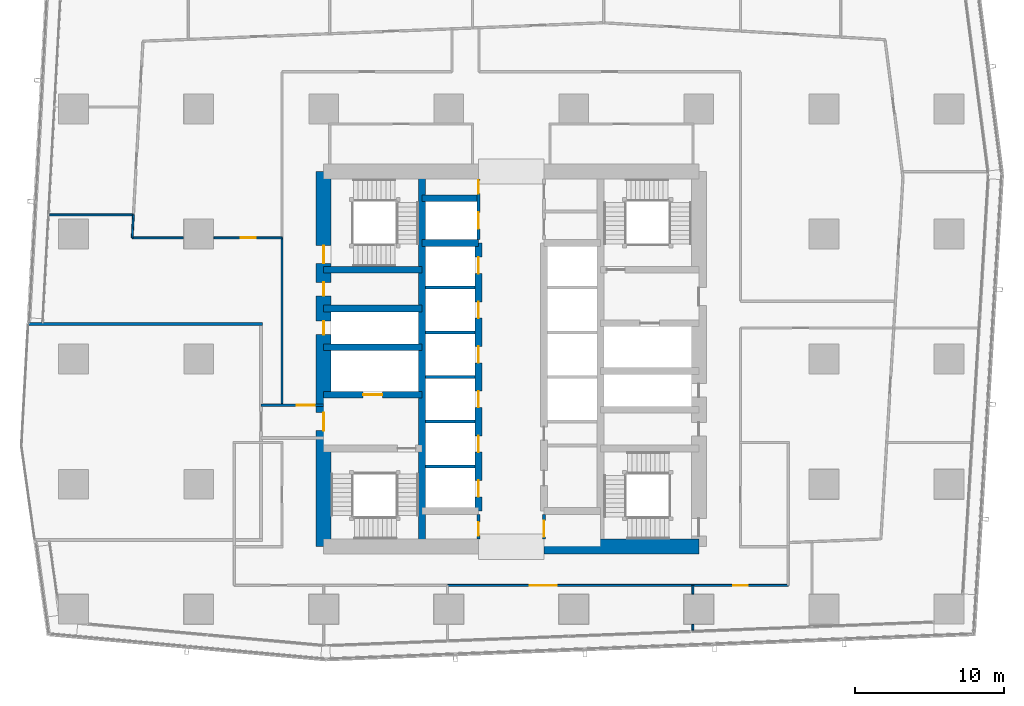
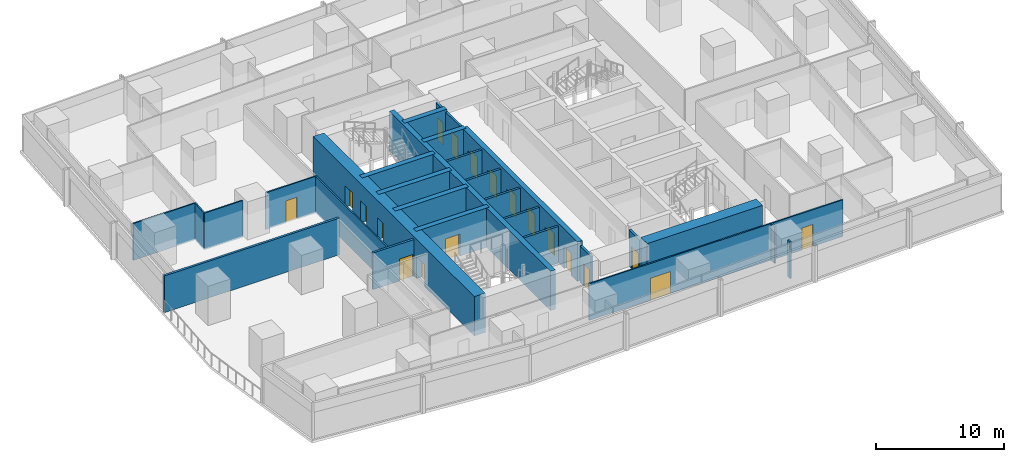
# One storey, part 26 of 36: 29 walls, 19 doors, 19 openings.
"""IFC4 building model written with IfcOpenShell, lengths in metres."""

from ifc_helpers import new_model, si_unit, direction, frame, frame_2d, origin, place, context, subcontext, project, spatial, rectangle, extrude, material, layer, layer_set, type_object, element, fill, save


model = new_model("IFC4")

# Units and contexts
model_context = context("Model", 3, precision=1e-05, world=origin(), true_north=direction((0.0, 1.0)))
body_context = subcontext(model_context, "Body", "Model", "MODEL_VIEW")
ifc_project = project(units=[si_unit("LENGTHUNIT", "METRE"), si_unit("AREAUNIT", "SQUARE_METRE"), si_unit("VOLUMEUNIT", "CUBIC_METRE"), si_unit("PLANEANGLEUNIT", "RADIAN"), si_unit("MASSUNIT", "GRAM", prefix="KILO")], contexts=[model_context])

# Site, building, storey
site_placement = place(None, origin())
site = spatial("IfcSite", under=ifc_project, at=site_placement, CompositionType="ELEMENT")
building_placement = place(site_placement, origin())
building = spatial("IfcBuilding", under=site, at=building_placement, Name="Rekha Terrace Tower", CompositionType="ELEMENT")
storey_placement = place(building_placement, frame((0.0, 0.0, 144.050048828125)))
storey = spatial("IfcBuildingStorey", under=building, at=storey_placement, Name="L36", CompositionType="ELEMENT", Elevation=144.050048828125)

# Wall
ifc_material_1 = material(Name="Concrete M70", Category="concrete")
ifc_layer_1 = layer(ifc_material_1, 0.449951171875)
ifc_layer_set_1 = layer_set([ifc_layer_1], Name="Concrete M70")
wall_type_1 = type_object("IfcWallType", Name="CI2 450 core internal shear wall", PredefinedType="SHEAR", material=ifc_layer_set_1)
wall_1_placement = place(storey_placement, frame((31.800048828125, 21.0, 0.0), z_axis=(0.0, 0.0, 1.0), x_axis=(0.0, 1.0, 0.0)))
element("IfcWall", 1, at=wall_1_placement, inside=storey, type_object=wall_type_1, Name="Core wall X318 L36", PredefinedType="SHEAR", context=body_context, shape_type="SweptSolid", body=[
    extrude(rectangle(XDim=25.199951171875, YDim=0.449951171875, at=frame_2d((12.60009765625, 0.0))), origin(), (0.0, 0.0, 1.0), 3.75),
])

# Wall, openings, doors
wall_2_placement = place(storey_placement, frame((35.60009765625, 23.39990234375, 0.0), z_axis=(0.0, 0.0, 1.0), x_axis=(0.0, 1.0, 0.0)))
wall_2 = element("IfcWall", 2, at=wall_2_placement, inside=storey, type_object=wall_type_1, Name="Core wall X356 L36", PredefinedType="SHEAR", context=body_context, shape_type="SweptSolid", body=[
    extrude(rectangle(XDim=18.0, YDim=0.449951171875, at=frame_2d((9.0, 0.0))), origin(), (0.0, 0.0, 1.0), 3.75),
])
opening_1_placement = place(wall_2_placement, frame((0.949951171875, 0.0, 0.0)))
opening_1 = element("IfcOpeningElement", 3, at=opening_1_placement, cuts=wall_2, Name="Opening LD1", PredefinedType="OPENING", context=body_context, shape_type="SweptSolid", body=[
    extrude(rectangle(XDim=1.10009765625, YDim=2.10009765625, at=frame_2d((0.550048828125, 1.050048828125))), frame((0.0, 0.23486328125, 0.0), z_axis=(0.0, -1.0, 0.0), x_axis=(1.0, 0.0, 0.0)), (0.0, 0.0, 1.0), 0.469970703125),
])
opening_2_placement = place(wall_2_placement, frame((3.949951171875, 0.0, 0.0)))
opening_2 = element("IfcOpeningElement", 4, at=opening_2_placement, cuts=wall_2, Name="Opening LD1", PredefinedType="OPENING", context=body_context, shape_type="SweptSolid", body=[
    extrude(rectangle(XDim=1.10009765625, YDim=2.10009765625, at=frame_2d((0.550048828125, 1.050048828125))), frame((0.0, 0.23486328125, 0.0), z_axis=(0.0, -1.0, 0.0), x_axis=(1.0, 0.0, 0.0)), (0.0, 0.0, 1.0), 0.469970703125),
])
opening_3_placement = place(wall_2_placement, frame((6.949951171875, 0.0, 0.0)))
opening_3 = element("IfcOpeningElement", 5, at=opening_3_placement, cuts=wall_2, Name="Opening LD1", PredefinedType="OPENING", context=body_context, shape_type="SweptSolid", body=[
    extrude(rectangle(XDim=1.10009765625, YDim=2.10009765625, at=frame_2d((0.550048828125, 1.050048828125))), frame((0.0, 0.23486328125, 0.0), z_axis=(0.0, -1.0, 0.0), x_axis=(1.0, 0.0, 0.0)), (0.0, 0.0, 1.0), 0.469970703125),
])
opening_4_placement = place(wall_2_placement, frame((9.949951171875, 0.0, 0.0)))
opening_4 = element("IfcOpeningElement", 6, at=opening_4_placement, cuts=wall_2, Name="Opening LD1", PredefinedType="OPENING", context=body_context, shape_type="SweptSolid", body=[
    extrude(rectangle(XDim=1.10009765625, YDim=2.10009765625, at=frame_2d((0.550048828125, 1.050048828125))), frame((0.0, 0.23486328125, 0.0), z_axis=(0.0, -1.0, 0.0), x_axis=(1.0, 0.0, 0.0)), (0.0, 0.0, 1.0), 0.469970703125),
])
opening_5_placement = place(wall_2_placement, frame((12.949951171875, 0.0, 0.0)))
opening_5 = element("IfcOpeningElement", 7, at=opening_5_placement, cuts=wall_2, Name="Opening LD1", PredefinedType="OPENING", context=body_context, shape_type="SweptSolid", body=[
    extrude(rectangle(XDim=1.10009765625, YDim=2.10009765625, at=frame_2d((0.550048828125, 1.050048828125))), frame((0.0, 0.23486328125, 0.0), z_axis=(0.0, -1.0, 0.0), x_axis=(1.0, 0.0, 0.0)), (0.0, 0.0, 1.0), 0.469970703125),
])
opening_6_placement = place(wall_2_placement, frame((15.949951171875, 0.0, 0.0)))
opening_6 = element("IfcOpeningElement", 8, at=opening_6_placement, cuts=wall_2, Name="Opening LD1", PredefinedType="OPENING", context=body_context, shape_type="SweptSolid", body=[
    extrude(rectangle(XDim=1.10009765625, YDim=2.10009765625, at=frame_2d((0.550048828125, 1.050048828125))), frame((0.0, 0.23486328125, 0.0), z_axis=(0.0, -1.0, 0.0), x_axis=(1.0, 0.0, 0.0)), (0.0, 0.0, 1.0), 0.469970703125),
])
ifc_material_2 = material(Name="Stainless steel sliding landing door", Category="steel")
door_type_1 = type_object("IfcDoorType", Name="LD1 1100x2100 lift landing door", OperationType="SLIDING_TO_LEFT", PredefinedType="USERDEFINED", material=ifc_material_2)
door_1_placement = place(opening_1_placement, origin())
door_1 = element("IfcDoor", 9, at=door_1_placement, inside=storey, type_object=door_type_1, Name="Lift B1 landing door L36", ObjectType="LIFT LANDING DOOR", OperationType="SLIDING_TO_LEFT", OverallHeight=2.10009765625, OverallWidth=1.10009765625, PredefinedType="USERDEFINED", context=body_context, shape_type="SweptSolid", body=[
    extrude(rectangle(XDim=1.10009765625, YDim=2.10009765625, at=frame_2d((0.550048828125, 1.050048828125))), frame((0.0, 0.02490234375, 0.0), z_axis=(0.0, -1.0, 0.0), x_axis=(1.0, 0.0, 0.0)), (0.0, 0.0, 1.0), 0.050048828125),
])
fill(opening_1, door_1)
door_2_placement = place(opening_2_placement, origin())
door_2 = element("IfcDoor", 10, at=door_2_placement, inside=storey, type_object=door_type_1, Name="Lift B2 landing door L36", ObjectType="LIFT LANDING DOOR", OperationType="SLIDING_TO_LEFT", OverallHeight=2.10009765625, OverallWidth=1.10009765625, PredefinedType="USERDEFINED", context=body_context, shape_type="SweptSolid", body=[
    extrude(rectangle(XDim=1.10009765625, YDim=2.10009765625, at=frame_2d((0.550048828125, 1.050048828125))), frame((0.0, 0.02490234375, 0.0), z_axis=(0.0, -1.0, 0.0), x_axis=(1.0, 0.0, 0.0)), (0.0, 0.0, 1.0), 0.050048828125),
])
fill(opening_2, door_2)
door_3_placement = place(opening_3_placement, origin())
door_3 = element("IfcDoor", 11, at=door_3_placement, inside=storey, type_object=door_type_1, Name="Lift B3 landing door L36", ObjectType="LIFT LANDING DOOR", OperationType="SLIDING_TO_LEFT", OverallHeight=2.10009765625, OverallWidth=1.10009765625, PredefinedType="USERDEFINED", context=body_context, shape_type="SweptSolid", body=[
    extrude(rectangle(XDim=1.10009765625, YDim=2.10009765625, at=frame_2d((0.550048828125, 1.050048828125))), frame((0.0, 0.02490234375, 0.0), z_axis=(0.0, -1.0, 0.0), x_axis=(1.0, 0.0, 0.0)), (0.0, 0.0, 1.0), 0.050048828125),
])
fill(opening_3, door_3)
door_4_placement = place(opening_4_placement, origin())
door_4 = element("IfcDoor", 12, at=door_4_placement, inside=storey, type_object=door_type_1, Name="Lift B4 landing door L36", ObjectType="LIFT LANDING DOOR", OperationType="SLIDING_TO_LEFT", OverallHeight=2.10009765625, OverallWidth=1.10009765625, PredefinedType="USERDEFINED", context=body_context, shape_type="SweptSolid", body=[
    extrude(rectangle(XDim=1.10009765625, YDim=2.10009765625, at=frame_2d((0.550048828125, 1.050048828125))), frame((0.0, 0.02490234375, 0.0), z_axis=(0.0, -1.0, 0.0), x_axis=(1.0, 0.0, 0.0)), (0.0, 0.0, 1.0), 0.050048828125),
])
fill(opening_4, door_4)
door_5_placement = place(opening_5_placement, origin())
door_5 = element("IfcDoor", 13, at=door_5_placement, inside=storey, type_object=door_type_1, Name="Lift B5 landing door L36", ObjectType="LIFT LANDING DOOR", OperationType="SLIDING_TO_LEFT", OverallHeight=2.10009765625, OverallWidth=1.10009765625, PredefinedType="USERDEFINED", context=body_context, shape_type="SweptSolid", body=[
    extrude(rectangle(XDim=1.10009765625, YDim=2.10009765625, at=frame_2d((0.550048828125, 1.050048828125))), frame((0.0, 0.02490234375, 0.0), z_axis=(0.0, -1.0, 0.0), x_axis=(1.0, 0.0, 0.0)), (0.0, 0.0, 1.0), 0.050048828125),
])
fill(opening_5, door_5)
door_6_placement = place(opening_6_placement, origin())
door_6 = element("IfcDoor", 14, at=door_6_placement, inside=storey, type_object=door_type_1, Name="Lift B6 landing door L36", ObjectType="LIFT LANDING DOOR", OperationType="SLIDING_TO_LEFT", OverallHeight=2.10009765625, OverallWidth=1.10009765625, PredefinedType="USERDEFINED", context=body_context, shape_type="SweptSolid", body=[
    extrude(rectangle(XDim=1.10009765625, YDim=2.10009765625, at=frame_2d((0.550048828125, 1.050048828125))), frame((0.0, 0.02490234375, 0.0), z_axis=(0.0, -1.0, 0.0), x_axis=(1.0, 0.0, 0.0)), (0.0, 0.0, 1.0), 0.050048828125),
])
fill(opening_6, door_6)

# Walls
for number, where, z_axis, x_axis, name in (
    (15, (31.800048828125, 41.39990234375, 0.0), (0.0, 0.0, 1.0), (1.0, 0.0, 0.0), "Core wall Y414W L36"),
    (16, (31.800048828125, 44.39990234375, 0.0), (0.0, 0.0, 1.0), (1.0, 0.0, 0.0), "Core wall Y444W L36"),
):
    element("IfcWall", number, at=place(storey_placement, frame(where, z_axis=z_axis, x_axis=x_axis)), inside=storey, type_object=wall_type_1, Name=name, PredefinedType="SHEAR", context=body_context, shape_type="SweptSolid", body=[
        extrude(rectangle(XDim=3.800048828125, YDim=0.449951171875, at=frame_2d((1.89990234375, 0.0))), origin(), (0.0, 0.0, 1.0), 3.75),
    ])

# Wall, opening, door
wall_3_placement = place(storey_placement, frame((25.199951171875, 31.199951171875, 0.0), z_axis=(0.0, 0.0, 1.0), x_axis=(1.0, 0.0, 0.0)))
wall_3 = element("IfcWall", 17, at=wall_3_placement, inside=storey, type_object=wall_type_1, Name="Core wall Y312W L36", PredefinedType="SHEAR", context=body_context, shape_type="SweptSolid", body=[
    extrude(rectangle(XDim=6.60009765625, YDim=0.449951171875, at=frame_2d((3.300048828125, 0.0))), origin(), (0.0, 0.0, 1.0), 3.75),
])
opening_7_placement = place(wall_3_placement, frame((2.64990234375, 0.0, 0.0)))
opening_7 = element("IfcOpeningElement", 18, at=opening_7_placement, cuts=wall_3, Name="Opening LD2", PredefinedType="OPENING", context=body_context, shape_type="SweptSolid", body=[
    extrude(rectangle(XDim=1.300048828125, YDim=2.10009765625, at=frame_2d((0.64990234375, 1.050048828125))), frame((0.0, 0.23486328125, 0.0), z_axis=(0.0, -1.0, 0.0), x_axis=(1.0, 0.0, 0.0)), (0.0, 0.0, 1.0), 0.469970703125),
])
door_type_2 = type_object("IfcDoorType", Name="LD2 1300x2100 fire lift landing door", OperationType="SLIDING_TO_LEFT", PredefinedType="USERDEFINED", material=ifc_material_2)
door_7_placement = place(opening_7_placement, origin())
door_7 = element("IfcDoor", 19, at=door_7_placement, inside=storey, type_object=door_type_2, Name="Lift FL1 landing door L36", ObjectType="LIFT LANDING DOOR", OperationType="SLIDING_TO_LEFT", OverallHeight=2.10009765625, OverallWidth=1.300048828125, PredefinedType="USERDEFINED", context=body_context, shape_type="SweptSolid", body=[
    extrude(rectangle(XDim=1.300048828125, YDim=2.10009765625, at=frame_2d((0.64990234375, 1.050048828125))), frame((0.0, 0.02490234375, 0.0), z_axis=(0.0, -1.0, 0.0), x_axis=(1.0, 0.0, 0.0)), (0.0, 0.0, 1.0), 0.050048828125),
])
fill(opening_7, door_7)

# Walls
for number, where, z_axis, x_axis, name in (
    (20, (25.199951171875, 34.39990234375, 0.0), (0.0, 0.0, 1.0), (1.0, 0.0, 0.0), "Core wall Y344W L36"),
    (21, (25.199951171875, 37.0, 0.0), (0.0, 0.0, 1.0), (1.0, 0.0, 0.0), "Core wall Y370W L36"),
    (22, (25.199951171875, 39.60009765625, 0.0), (0.0, 0.0, 1.0), (1.0, 0.0, 0.0), "Core wall Y396W L36"),
):
    element("IfcWall", number, at=place(storey_placement, frame(where, z_axis=z_axis, x_axis=x_axis)), inside=storey, type_object=wall_type_1, Name=name, PredefinedType="SHEAR", context=body_context, shape_type="SweptSolid", body=[
        extrude(rectangle(XDim=6.60009765625, YDim=0.449951171875, at=frame_2d((3.300048828125, 0.0))), origin(), (0.0, 0.0, 1.0), 3.75),
    ])
ifc_layer_2 = layer(ifc_material_1, 1.0)
ifc_layer_set_2 = layer_set([ifc_layer_2], Name="Concrete M70")
wall_type_2 = type_object("IfcWallType", Name="SW2 1000 core outer shear wall", PredefinedType="SHEAR", material=ifc_layer_set_2)
wall_4_placement = place(storey_placement, frame((40.0, 21.0, 0.0), z_axis=(0.0, 0.0, 1.0), x_axis=(1.0, 0.0, 0.0)))
element("IfcWall", 23, at=wall_4_placement, inside=storey, type_object=wall_type_2, Name="Core wall S2 L36", PredefinedType="SHEAR", context=body_context, shape_type="SweptSolid", body=[
    extrude(rectangle(XDim=10.39990234375, YDim=1.0, at=frame_2d((5.199951171875, 0.0))), origin(), (0.0, 0.0, 1.0), 3.75),
])

# Wall, openings, doors
wall_5_placement = place(storey_placement, frame((25.199951171875, 21.0, 0.0), z_axis=(0.0, 0.0, 1.0), x_axis=(0.0, 1.0, 0.0)))
wall_5 = element("IfcWall", 24, at=wall_5_placement, inside=storey, type_object=wall_type_2, Name="Core wall W L36", PredefinedType="SHEAR", context=body_context, shape_type="SweptSolid", body=[
    extrude(rectangle(XDim=25.199951171875, YDim=1.0, at=frame_2d((12.60009765625, 0.0))), origin(), (0.0, 0.0, 1.0), 3.75),
])
opening_8_placement = place(wall_5_placement, frame((7.800048828125, 0.0, 0.0)))
opening_8 = element("IfcOpeningElement", 25, at=opening_8_placement, cuts=wall_5, Name="Opening D2", PredefinedType="OPENING", context=body_context, shape_type="SweptSolid", body=[
    extrude(rectangle(XDim=1.199951171875, YDim=2.10009765625, at=frame_2d((0.60009765625, 1.050048828125))), frame((0.0, 0.510009765625, 0.0), z_axis=(0.0, -1.0, 0.0), x_axis=(1.0, 0.0, 0.0)), (0.0, 0.0, 1.0), 1.02001953125),
])
opening_9_placement = place(wall_5_placement, frame((14.25, 0.0, 0.0)))
opening_9 = element("IfcOpeningElement", 26, at=opening_9_placement, cuts=wall_5, Name="Opening D5", PredefinedType="OPENING", context=body_context, shape_type="SweptSolid", body=[
    extrude(rectangle(XDim=0.89990234375, YDim=2.10009765625, at=frame_2d((0.449951171875, 1.050048828125))), frame((0.0, 0.510009765625, 0.0), z_axis=(0.0, -1.0, 0.0), x_axis=(1.0, 0.0, 0.0)), (0.0, 0.0, 1.0), 1.02001953125),
])
opening_10_placement = place(wall_5_placement, frame((16.85009765625, 0.0, 0.0)))
opening_10 = element("IfcOpeningElement", 27, at=opening_10_placement, cuts=wall_5, Name="Opening D5", PredefinedType="OPENING", context=body_context, shape_type="SweptSolid", body=[
    extrude(rectangle(XDim=0.89990234375, YDim=2.10009765625, at=frame_2d((0.449951171875, 1.050048828125))), frame((0.0, 0.510009765625, 0.0), z_axis=(0.0, -1.0, 0.0), x_axis=(1.0, 0.0, 0.0)), (0.0, 0.0, 1.0), 1.02001953125),
])
opening_11_placement = place(wall_5_placement, frame((19.02490234375, 0.0, 0.0)))
opening_11 = element("IfcOpeningElement", 28, at=opening_11_placement, cuts=wall_5, Name="Opening D1", PredefinedType="OPENING", context=body_context, shape_type="SweptSolid", body=[
    extrude(rectangle(XDim=1.199951171875, YDim=2.10009765625, at=frame_2d((0.60009765625, 1.050048828125))), frame((0.0, 0.510009765625, 0.0), z_axis=(0.0, -1.0, 0.0), x_axis=(1.0, 0.0, 0.0)), (0.0, 0.0, 1.0), 1.02001953125),
])
ifc_material_3 = material(Name="Steel fire door", Category="steel")
door_type_3 = type_object("IfcDoorType", Name="D1 1200x2100 stair fire door", OperationType="SINGLE_SWING_RIGHT", PredefinedType="DOOR", material=ifc_material_3)
door_8_placement = place(opening_11_placement, origin())
door_8 = element("IfcDoor", 29, at=door_8_placement, inside=storey, type_object=door_type_3, Name="Stair ST4 door L36", OperationType="SINGLE_SWING_RIGHT", OverallHeight=2.10009765625, OverallWidth=1.199951171875, PredefinedType="DOOR", context=body_context, shape_type="SweptSolid", body=[
    extrude(rectangle(XDim=1.199951171875, YDim=2.10009765625, at=frame_2d((0.60009765625, 1.050048828125))), frame((0.0, 0.02490234375, 0.0), z_axis=(0.0, -1.0, 0.0), x_axis=(1.0, 0.0, 0.0)), (0.0, 0.0, 1.0), 0.050048828125),
])
fill(opening_11, door_8)
door_type_4 = type_object("IfcDoorType", Name="D2 1200x2100 firefighting lobby door", OperationType="SINGLE_SWING_LEFT", PredefinedType="DOOR", material=ifc_material_3)
door_9_placement = place(opening_8_placement, origin())
door_9 = element("IfcDoor", 30, at=door_9_placement, inside=storey, type_object=door_type_4, Name="Door flb1 L36", OperationType="SINGLE_SWING_LEFT", OverallHeight=2.10009765625, OverallWidth=1.199951171875, PredefinedType="DOOR", context=body_context, shape_type="SweptSolid", body=[
    extrude(rectangle(XDim=1.199951171875, YDim=2.10009765625, at=frame_2d((0.60009765625, 1.050048828125))), frame((0.0, 0.02490234375, 0.0), z_axis=(0.0, -1.0, 0.0), x_axis=(1.0, 0.0, 0.0)), (0.0, 0.0, 1.0), 0.050048828125),
])
fill(opening_8, door_9)
door_type_5 = type_object("IfcDoorType", Name="D5 900x2100 riser access door", OperationType="SINGLE_SWING_LEFT", PredefinedType="DOOR", material=ifc_material_3)
door_10_placement = place(opening_9_placement, origin())
door_10 = element("IfcDoor", 31, at=door_10_placement, inside=storey, type_object=door_type_5, Name="Door rs1 L36", OperationType="SINGLE_SWING_LEFT", OverallHeight=2.10009765625, OverallWidth=0.89990234375, PredefinedType="DOOR", context=body_context, shape_type="SweptSolid", body=[
    extrude(rectangle(XDim=0.89990234375, YDim=2.10009765625, at=frame_2d((0.449951171875, 1.050048828125))), frame((0.0, 0.02490234375, 0.0), z_axis=(0.0, -1.0, 0.0), x_axis=(1.0, 0.0, 0.0)), (0.0, 0.0, 1.0), 0.050048828125),
])
fill(opening_9, door_10)
door_11_placement = place(opening_10_placement, origin())
door_11 = element("IfcDoor", 32, at=door_11_placement, inside=storey, type_object=door_type_5, Name="Door elw L36", OperationType="SINGLE_SWING_LEFT", OverallHeight=2.10009765625, OverallWidth=0.89990234375, PredefinedType="DOOR", context=body_context, shape_type="SweptSolid", body=[
    extrude(rectangle(XDim=0.89990234375, YDim=2.10009765625, at=frame_2d((0.449951171875, 1.050048828125))), frame((0.0, 0.02490234375, 0.0), z_axis=(0.0, -1.0, 0.0), x_axis=(1.0, 0.0, 0.0)), (0.0, 0.0, 1.0), 0.050048828125),
])
fill(opening_10, door_11)

# Walls
ifc_material_4 = material(Name="Two layers of fire-rated gypsum board each side on steel studs, acoustic quilt, 1 hour", Category="steel")
ifc_layer_3 = layer(ifc_material_4, 0.125)
ifc_layer_set_3 = layer_set([ifc_layer_3], Name="Two layers of fire-rated gypsum board each side on steel studs, acoustic quilt, 1 hour")
wall_type_3 = type_object("IfcWallType", Name="WP3 125 office partition", PredefinedType="PARTITIONING", material=ifc_layer_set_3)
wall_6_placement = place(storey_placement, frame((49.9990234375, 15.40087890625, 0.0), z_axis=(0.0, 0.0, 1.0), x_axis=(0.0, 1.0, 0.0)))
element("IfcWall", 33, at=wall_6_placement, inside=storey, type_object=wall_type_3, Name="Partition L36-02", PredefinedType="PARTITIONING", context=body_context, shape_type="SweptSolid", body=[
    extrude(rectangle(XDim=0.379150390625, YDim=0.125, at=frame_2d((0.189453125, 0.0))), origin(), (0.0, 0.0, 1.0), 3.5),
])
wall_7_placement = place(storey_placement, frame((49.9990234375, 17.820068359375, 0.0), z_axis=(0.0, 0.0, 1.0), x_axis=(0.0, 1.0, 0.0)))
element("IfcWall", 34, at=wall_7_placement, inside=storey, type_object=wall_type_3, Name="Partition L36-02", PredefinedType="PARTITIONING", context=body_context, shape_type="SweptSolid", body=[
    extrude(rectangle(XDim=0.579833984375, YDim=0.125, at=frame_2d((0.2900390625, 0.0))), origin(), (0.0, 0.0, 1.0), 3.5),
])

# Wall, opening, door
wall_8_placement = place(storey_placement, frame((49.9990234375, 18.39990234375, 0.0), z_axis=(0.0, 0.0, 1.0), x_axis=(1.0, 0.0, 0.0)))
wall_8 = element("IfcWall", 35, at=wall_8_placement, inside=storey, type_object=wall_type_3, Name="Partition L36-02", PredefinedType="PARTITIONING", context=body_context, shape_type="SweptSolid", body=[
    extrude(rectangle(XDim=6.40087890625, YDim=0.125, at=frame_2d((3.200439453125, 0.0))), origin(), (0.0, 0.0, 1.0), 3.5),
])
opening_12_placement = place(wall_8_placement, frame((2.699951171875, 0.0, 0.0)))
opening_12 = element("IfcOpeningElement", 36, at=opening_12_placement, cuts=wall_8, Name="Opening D9", PredefinedType="OPENING", context=body_context, shape_type="SweptSolid", body=[
    extrude(rectangle(XDim=1.0, YDim=2.10009765625, at=frame_2d((0.5, 1.050048828125))), frame((0.0, 0.072509765625, 0.0), z_axis=(0.0, -1.0, 0.0), x_axis=(1.0, 0.0, 0.0)), (0.0, 0.0, 1.0), 0.14501953125),
])
ifc_material_5 = material(Name="Timber fire door", Category="wood")
door_type_6 = type_object("IfcDoorType", Name="D9 1000x2100 office door", OperationType="SINGLE_SWING_LEFT", PredefinedType="DOOR", material=ifc_material_5)
door_12_placement = place(opening_12_placement, origin())
door_12 = element("IfcDoor", 37, at=door_12_placement, inside=storey, type_object=door_type_6, Name="Door director's office L36", OperationType="SINGLE_SWING_LEFT", OverallHeight=2.10009765625, OverallWidth=1.0, PredefinedType="DOOR", context=body_context, shape_type="SweptSolid", body=[
    extrude(rectangle(XDim=1.0, YDim=2.10009765625, at=frame_2d((0.5, 1.050048828125))), frame((0.0, 0.02490234375, 0.0), z_axis=(0.0, -1.0, 0.0), x_axis=(1.0, 0.0, 0.0)), (0.0, 0.0, 1.0), 0.050048828125),
])
fill(opening_12, door_12)

# Walls
wall_9_placement = place(storey_placement, frame((12.4208984375, 43.287109375, 0.0), z_axis=(0.0, 0.0, 1.0), x_axis=(-1.0, 0.0, 0.0)))
element("IfcWall", 38, at=wall_9_placement, inside=storey, type_object=wall_type_3, Name="Partition L36-14", PredefinedType="PARTITIONING", context=body_context, shape_type="SweptSolid", body=[
    extrude(rectangle(XDim=5.6279296875, YDim=0.125, at=frame_2d((2.81396484375, 0.0))), origin(), (0.0, 0.0, 1.0), 3.5),
])
wall_10_placement = place(storey_placement, frame((12.4208984375, 43.285888671875, 0.0), z_axis=(0.0, 0.0, 1.0), x_axis=(-0.055014719624, -0.998485543523, 0.0)))
element("IfcWall", 39, at=wall_10_placement, inside=storey, type_object=wall_type_3, Name="Partition L36-15", PredefinedType="PARTITIONING", context=body_context, shape_type="SweptSolid", body=[
    extrude(rectangle(XDim=1.54443359375, YDim=0.125, at=frame_2d((0.772216796875, 0.0))), origin(), (0.0, 0.0, 1.0), 3.5),
])
wall_11_placement = place(storey_placement, frame((12.3359375, 41.743896484375, 0.0), z_axis=(0.0, 0.0, 1.0), x_axis=(1.0, 0.0, 0.0)))
element("IfcWall", 40, at=wall_11_placement, inside=storey, type_object=wall_type_3, Name="Partition L36-15", PredefinedType="PARTITIONING", context=body_context, shape_type="SweptSolid", body=[
    extrude(rectangle(XDim=3.444091796875, YDim=0.125, at=frame_2d((1.72216796875, 0.0))), origin(), (0.0, 0.0, 1.0), 3.5),
])

# Wall, opening, door
wall_12_placement = place(storey_placement, frame((17.820068359375, 41.743896484375, 0.0), z_axis=(0.0, 0.0, 1.0), x_axis=(1.0, 0.0, 0.0)))
wall_12 = element("IfcWall", 41, at=wall_12_placement, inside=storey, type_object=wall_type_3, Name="Partition L36-15", PredefinedType="PARTITIONING", context=body_context, shape_type="SweptSolid", body=[
    extrude(rectangle(XDim=4.579833984375, YDim=0.125, at=frame_2d((2.2900390625, 0.0))), origin(), (0.0, 0.0, 1.0), 3.5),
])
opening_13_placement = place(wall_12_placement, frame((1.824951171875, 0.0, 0.0)))
opening_13 = element("IfcOpeningElement", 42, at=opening_13_placement, cuts=wall_12, Name="Opening D9", PredefinedType="OPENING", context=body_context, shape_type="SweptSolid", body=[
    extrude(rectangle(XDim=1.0, YDim=2.10009765625, at=frame_2d((0.5, 1.050048828125))), frame((0.0, 0.072509765625, 0.0), z_axis=(0.0, -1.0, 0.0), x_axis=(1.0, 0.0, 0.0)), (0.0, 0.0, 1.0), 0.14501953125),
])
door_13_placement = place(opening_13_placement, origin())
door_13 = element("IfcDoor", 43, at=door_13_placement, inside=storey, type_object=door_type_6, Name="Door director's office L36", OperationType="SINGLE_SWING_LEFT", OverallHeight=2.10009765625, OverallWidth=1.0, PredefinedType="DOOR", context=body_context, shape_type="SweptSolid", body=[
    extrude(rectangle(XDim=1.0, YDim=2.10009765625, at=frame_2d((0.5, 1.050048828125))), frame((0.0, 0.02490234375, 0.0), z_axis=(0.0, -1.0, 0.0), x_axis=(1.0, 0.0, 0.0)), (0.0, 0.0, 1.0), 0.050048828125),
])
fill(opening_13, door_13)

# Wall
wall_13_placement = place(storey_placement, frame((22.39990234375, 41.743896484375, 0.0), z_axis=(0.0, 0.0, 1.0), x_axis=(0.0, -1.0, 0.0)))
element("IfcWall", 44, at=wall_13_placement, inside=storey, type_object=wall_type_3, Name="Partition L36-15", PredefinedType="PARTITIONING", context=body_context, shape_type="SweptSolid", body=[
    extrude(rectangle(XDim=11.1328125, YDim=0.125, at=frame_2d((5.56640625, 0.0))), origin(), (0.0, 0.0, 1.0), 3.5),
])

# Wall, opening, door
wall_14_placement = place(storey_placement, frame((33.512939453125, 18.39990234375, 0.0), z_axis=(0.0, 0.0, 1.0), x_axis=(1.0, 0.0, 0.0)))
wall_14 = element("IfcWall", 45, at=wall_14_placement, inside=storey, type_object=wall_type_3, Name="Partition L36-16", PredefinedType="PARTITIONING", context=body_context, shape_type="SweptSolid", body=[
    extrude(rectangle(XDim=16.485107421875, YDim=0.125, at=frame_2d((8.24267578125, 0.0))), origin(), (0.0, 0.0, 1.0), 3.5),
])
opening_14_placement = place(wall_14_placement, frame((5.54296875, 0.0, 0.0)))
opening_14 = element("IfcOpeningElement", 46, at=opening_14_placement, cuts=wall_14, Name="Opening D8", PredefinedType="OPENING", context=body_context, shape_type="SweptSolid", body=[
    extrude(rectangle(XDim=1.800048828125, YDim=2.10009765625, at=frame_2d((0.89990234375, 1.050048828125))), frame((0.0, 0.072509765625, 0.0), z_axis=(0.0, -1.0, 0.0), x_axis=(1.0, 0.0, 0.0)), (0.0, 0.0, 1.0), 0.14501953125),
])
door_type_7 = type_object("IfcDoorType", Name="D8 1800x2100 double leaf door", OperationType="DOUBLE_DOOR_SINGLE_SWING", PredefinedType="DOOR", material=ifc_material_5)
door_14_placement = place(opening_14_placement, origin())
door_14 = element("IfcDoor", 47, at=door_14_placement, inside=storey, type_object=door_type_7, Name="Door meeting room L36", OperationType="DOUBLE_DOOR_SINGLE_SWING", OverallHeight=2.10009765625, OverallWidth=1.800048828125, PredefinedType="DOOR", context=body_context, shape_type="SweptSolid", body=[
    extrude(rectangle(XDim=1.800048828125, YDim=2.10009765625, at=frame_2d((0.89990234375, 1.050048828125))), frame((0.0, 0.02490234375, 0.0), z_axis=(0.0, -1.0, 0.0), x_axis=(1.0, 0.0, 0.0)), (0.0, 0.0, 1.0), 0.050048828125),
])
fill(opening_14, door_14)

# Walls
ifc_material_6 = material(Name="Solid concrete block masonry, 2 hour", Category="masonry")
ifc_layer_4 = layer(ifc_material_6, 0.199951171875)
ifc_layer_set_4 = layer_set([ifc_layer_4], Name="Solid concrete block masonry, 2 hour")
wall_type_4 = type_object("IfcWallType", Name="WS1 200 stair and shaft enclosure", PredefinedType="PARTITIONING", material=ifc_layer_set_4)
for number, where, z_axis, x_axis, name in (
    (48, (32.02490234375, 26.39990234375, 0.0), (0.0, 0.0, 1.0), (1.0, 0.0, 0.0), "Lift shaft divider L36"),
    (49, (32.02490234375, 29.39990234375, 0.0), (0.0, 0.0, 1.0), (1.0, 0.0, 0.0), "Lift shaft divider L36"),
    (50, (32.02490234375, 32.39990234375, 0.0), (0.0, 0.0, 1.0), (1.0, 0.0, 0.0), "Lift shaft divider L36"),
    (51, (32.02490234375, 35.39990234375, 0.0), (0.0, 0.0, 1.0), (1.0, 0.0, 0.0), "Lift shaft divider L36"),
    (52, (32.02490234375, 38.39990234375, 0.0), (0.0, 0.0, 1.0), (1.0, 0.0, 0.0), "Lift shaft divider L36"),
):
    element("IfcWall", number, at=place(storey_placement, frame(where, z_axis=z_axis, x_axis=x_axis)), inside=storey, type_object=wall_type_4, Name=name, PredefinedType="PARTITIONING", context=body_context, shape_type="SweptSolid", body=[
        extrude(rectangle(XDim=3.35009765625, YDim=0.199951171875, at=frame_2d((1.675048828125, 0.0))), origin(), (0.0, 0.0, 1.0), 3.5),
    ])

# Wall, opening, door
wall_15_placement = place(storey_placement, frame((40.0, 21.5, 0.0), z_axis=(0.0, 0.0, 1.0), x_axis=(0.0, 1.0, 0.0)))
wall_15 = element("IfcWall", 53, at=wall_15_placement, inside=storey, type_object=wall_type_4, Name="Core partition wca L36", PredefinedType="PARTITIONING", context=body_context, shape_type="SweptSolid", body=[
    extrude(rectangle(XDim=1.675048828125, YDim=0.199951171875, at=frame_2d((0.83740234375, 0.0))), origin(), (0.0, 0.0, 1.0), 3.5),
])
opening_15_placement = place(wall_15_placement, frame((0.14990234375, 0.0, 0.0)))
opening_15 = element("IfcOpeningElement", 54, at=opening_15_placement, cuts=wall_15, Name="Opening D4", PredefinedType="OPENING", context=body_context, shape_type="SweptSolid", body=[
    extrude(rectangle(XDim=1.10009765625, YDim=2.10009765625, at=frame_2d((0.550048828125, 1.050048828125))), frame((0.0, 0.10986328125, 0.0), z_axis=(0.0, -1.0, 0.0), x_axis=(1.0, 0.0, 0.0)), (0.0, 0.0, 1.0), 0.219970703125),
])
ifc_material_7 = material(Name="Laminated timber fire door", Category="wood")
door_type_8 = type_object("IfcDoorType", Name="D4 1100x2100 accessible WC door", OperationType="SLIDING_TO_LEFT", PredefinedType="DOOR", material=ifc_material_7)
door_15_placement = place(opening_15_placement, origin())
door_15 = element("IfcDoor", 55, at=door_15_placement, inside=storey, type_object=door_type_8, Name="Door wca L36", OperationType="SLIDING_TO_LEFT", OverallHeight=2.10009765625, OverallWidth=1.10009765625, PredefinedType="DOOR", context=body_context, shape_type="SweptSolid", body=[
    extrude(rectangle(XDim=1.10009765625, YDim=2.10009765625, at=frame_2d((0.550048828125, 1.050048828125))), frame((0.0, 0.02490234375, 0.0), z_axis=(0.0, -1.0, 0.0), x_axis=(1.0, 0.0, 0.0)), (0.0, 0.0, 1.0), 0.050048828125),
])
fill(opening_15, door_15)

# Wall, openings, doors
wall_16_placement = place(storey_placement, frame((35.60009765625, 41.625, 0.0), z_axis=(0.0, 0.0, 1.0), x_axis=(0.0, 1.0, 0.0)))
wall_16 = element("IfcWall", 56, at=wall_16_placement, inside=storey, type_object=wall_type_4, Name="Core partition jansv L36", PredefinedType="PARTITIONING", context=body_context, shape_type="SweptSolid", body=[
    extrude(rectangle(XDim=4.074951171875, YDim=0.199951171875, at=frame_2d((2.03759765625, 0.0))), origin(), (0.0, 0.0, 1.0), 3.5),
])
opening_16_placement = place(wall_16_placement, frame((3.087890625, 0.0, 0.0)))
opening_16 = element("IfcOpeningElement", 57, at=opening_16_placement, cuts=wall_16, Name="Opening D5", PredefinedType="OPENING", context=body_context, shape_type="SweptSolid", body=[
    extrude(rectangle(XDim=0.89990234375, YDim=2.10009765625, at=frame_2d((0.449951171875, 1.050048828125))), frame((0.0, 0.10986328125, 0.0), z_axis=(0.0, -1.0, 0.0), x_axis=(1.0, 0.0, 0.0)), (0.0, 0.0, 1.0), 0.219970703125),
])
opening_17_placement = place(wall_16_placement, frame((0.72509765625, 0.0, 0.0)))
opening_17 = element("IfcOpeningElement", 58, at=opening_17_placement, cuts=wall_16, Name="Opening LD1", PredefinedType="OPENING", context=body_context, shape_type="SweptSolid", body=[
    extrude(rectangle(XDim=1.10009765625, YDim=2.10009765625, at=frame_2d((0.550048828125, 1.050048828125))), frame((0.0, 0.10986328125, 0.0), z_axis=(0.0, -1.0, 0.0), x_axis=(1.0, 0.0, 0.0)), (0.0, 0.0, 1.0), 0.219970703125),
])
door_16_placement = place(opening_16_placement, origin())
door_16 = element("IfcDoor", 59, at=door_16_placement, inside=storey, type_object=door_type_5, Name="Door janitor room L36", OperationType="SINGLE_SWING_LEFT", OverallHeight=2.10009765625, OverallWidth=0.89990234375, PredefinedType="DOOR", context=body_context, shape_type="SweptSolid", body=[
    extrude(rectangle(XDim=0.89990234375, YDim=2.10009765625, at=frame_2d((0.449951171875, 1.050048828125))), frame((0.0, 0.02490234375, 0.0), z_axis=(0.0, -1.0, 0.0), x_axis=(1.0, 0.0, 0.0)), (0.0, 0.0, 1.0), 0.050048828125),
])
fill(opening_16, door_16)
door_17_placement = place(opening_17_placement, origin())
door_17 = element("IfcDoor", 60, at=door_17_placement, inside=storey, type_object=door_type_1, Name="Lift SV1 landing door L36", ObjectType="LIFT LANDING DOOR", OperationType="SLIDING_TO_LEFT", OverallHeight=2.10009765625, OverallWidth=1.10009765625, PredefinedType="USERDEFINED", context=body_context, shape_type="SweptSolid", body=[
    extrude(rectangle(XDim=1.10009765625, YDim=2.10009765625, at=frame_2d((0.550048828125, 1.050048828125))), frame((0.0, 0.02490234375, 0.0), z_axis=(0.0, -1.0, 0.0), x_axis=(1.0, 0.0, 0.0)), (0.0, 0.0, 1.0), 0.050048828125),
])
fill(opening_17, door_17)

# Wall, opening, door
wall_17_placement = place(storey_placement, frame((35.60009765625, 21.5, 0.0), z_axis=(0.0, 0.0, 1.0), x_axis=(0.0, 1.0, 0.0)))
wall_17 = element("IfcWall", 61, at=wall_17_placement, inside=storey, type_object=wall_type_4, Name="Core partition west L36", PredefinedType="PARTITIONING", context=body_context, shape_type="SweptSolid", body=[
    extrude(rectangle(XDim=1.675048828125, YDim=0.199951171875, at=frame_2d((0.83740234375, 0.0))), origin(), (0.0, 0.0, 1.0), 3.5),
])
opening_18_placement = place(wall_17_placement, frame((0.25, 0.0, 0.0)))
opening_18 = element("IfcOpeningElement", 62, at=opening_18_placement, cuts=wall_17, Name="Opening D5", PredefinedType="OPENING", context=body_context, shape_type="SweptSolid", body=[
    extrude(rectangle(XDim=0.89990234375, YDim=2.10009765625, at=frame_2d((0.449951171875, 1.050048828125))), frame((0.0, 0.10986328125, 0.0), z_axis=(0.0, -1.0, 0.0), x_axis=(1.0, 0.0, 0.0)), (0.0, 0.0, 1.0), 0.219970703125),
])
door_18_placement = place(opening_18_placement, origin())
door_18 = element("IfcDoor", 63, at=door_18_placement, inside=storey, type_object=door_type_5, Name="Door cleaner's store L36", OperationType="SINGLE_SWING_LEFT", OverallHeight=2.10009765625, OverallWidth=0.89990234375, PredefinedType="DOOR", context=body_context, shape_type="SweptSolid", body=[
    extrude(rectangle(XDim=0.89990234375, YDim=2.10009765625, at=frame_2d((0.449951171875, 1.050048828125))), frame((0.0, 0.02490234375, 0.0), z_axis=(0.0, -1.0, 0.0), x_axis=(1.0, 0.0, 0.0)), (0.0, 0.0, 1.0), 0.050048828125),
])
fill(opening_18, door_18)

# Wall
wall_18_placement = place(storey_placement, frame((5.347900390625, 35.943115234375, 0.0), z_axis=(0.0, 0.0, 1.0), x_axis=(1.0, 0.0, 0.0)))
element("IfcWall", 64, at=wall_18_placement, inside=storey, type_object=wall_type_4, Name="Refuge area north wall L36", PredefinedType="PARTITIONING", context=body_context, shape_type="SweptSolid", body=[
    extrude(rectangle(XDim=15.752197265625, YDim=0.199951171875, at=frame_2d((7.8759765625, 0.0))), origin(), (0.0, 0.0, 1.0), 3.5),
])

# Wall, opening, door
wall_19_placement = place(storey_placement, frame((21.0, 30.5, 0.0), z_axis=(0.0, 0.0, 1.0), x_axis=(1.0, 0.0, 0.0)))
wall_19 = element("IfcWall", 65, at=wall_19_placement, inside=storey, type_object=wall_type_4, Name="Refuge corridor north wall L36", PredefinedType="PARTITIONING", context=body_context, shape_type="SweptSolid", body=[
    extrude(rectangle(XDim=4.199951171875, YDim=0.199951171875, at=frame_2d((2.10009765625, 0.0))), origin(), (0.0, 0.0, 1.0), 3.5),
])
opening_19_placement = place(wall_19_placement, frame((2.39990234375, 0.0, 0.0)))
opening_19 = element("IfcOpeningElement", 66, at=opening_19_placement, cuts=wall_19, Name="Opening D2", PredefinedType="OPENING", context=body_context, shape_type="SweptSolid", body=[
    extrude(rectangle(XDim=1.199951171875, YDim=2.10009765625, at=frame_2d((0.60009765625, 1.050048828125))), frame((0.0, 0.10986328125, 0.0), z_axis=(0.0, -1.0, 0.0), x_axis=(1.0, 0.0, 0.0)), (0.0, 0.0, 1.0), 0.219970703125),
])
door_19_placement = place(opening_19_placement, origin())
door_19 = element("IfcDoor", 67, at=door_19_placement, inside=storey, type_object=door_type_4, Name="Refuge corridor door L36", OperationType="SINGLE_SWING_LEFT", OverallHeight=2.10009765625, OverallWidth=1.199951171875, PredefinedType="DOOR", context=body_context, shape_type="SweptSolid", body=[
    extrude(rectangle(XDim=1.199951171875, YDim=2.10009765625, at=frame_2d((0.60009765625, 1.050048828125))), frame((0.0, 0.02490234375, 0.0), z_axis=(0.0, -1.0, 0.0), x_axis=(1.0, 0.0, 0.0)), (0.0, 0.0, 1.0), 0.050048828125),
])
fill(opening_19, door_19)

save(model, "model.ifc")
